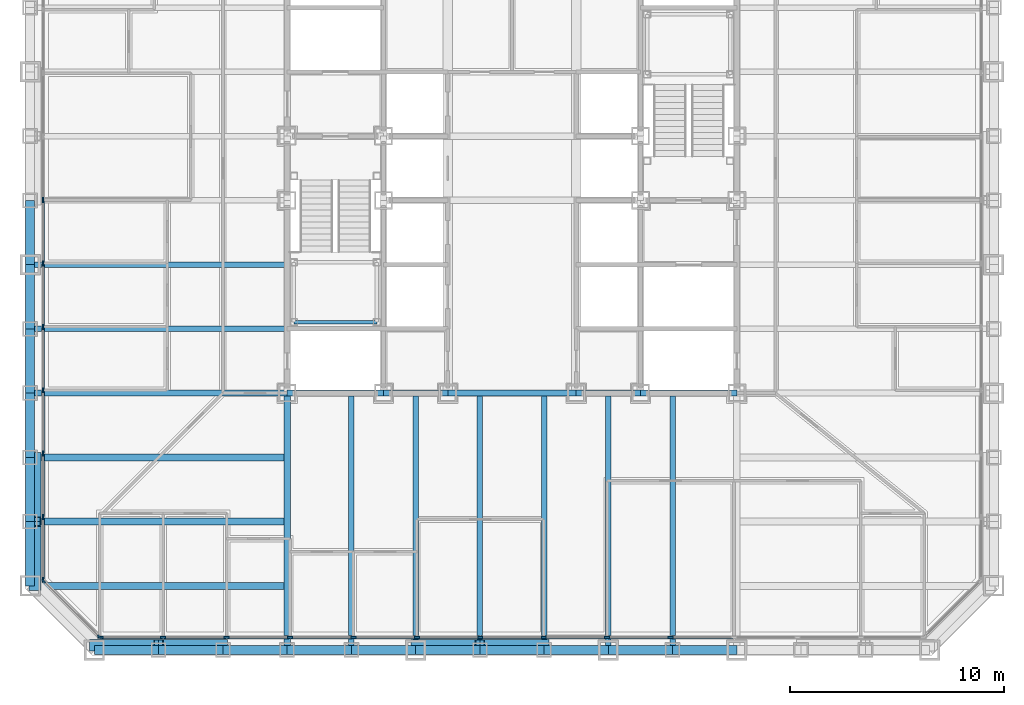
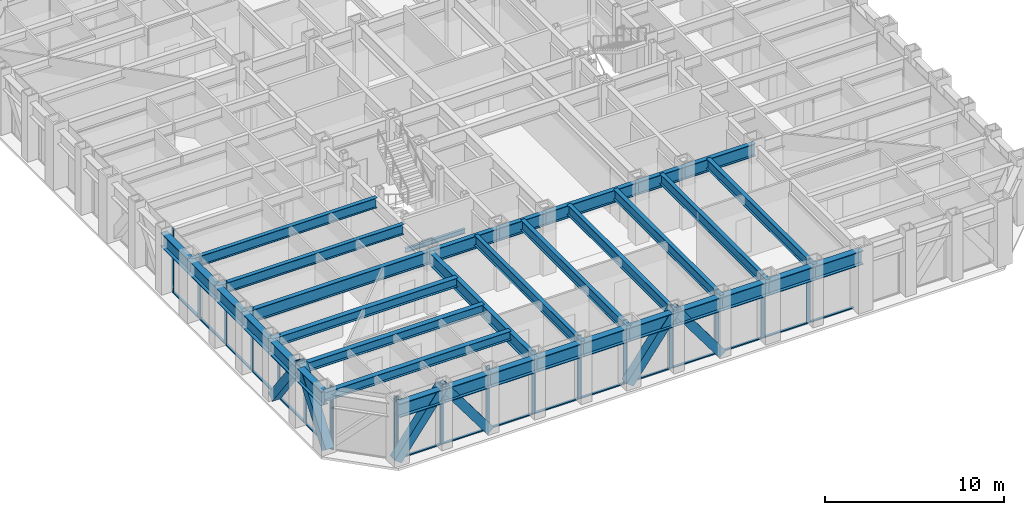
# One storey, part 2 of 17: 41 members, 35 beams, 3 elements without a shape of their own.
"""IFC4 building model written with IfcOpenShell, lengths in metres."""

from ifc_helpers import new_model, si_unit, direction, frame, origin, origin_2d, place, context, subcontext, project, spatial, rectangle, hollow_rectangle, i_section, extrude, material, layer, layer_set, material_profile, profile_set, type_object, element, aggregate, save


model = new_model("IFC4")

# Units and contexts
model_context = context("Model", 3, precision=1e-05, world=origin(), true_north=direction((0.0, 1.0)))
body_context = subcontext(model_context, "Body", "Model", "MODEL_VIEW")
ifc_project = project(units=[si_unit("LENGTHUNIT", "METRE"), si_unit("AREAUNIT", "SQUARE_METRE"), si_unit("VOLUMEUNIT", "CUBIC_METRE"), si_unit("PLANEANGLEUNIT", "RADIAN"), si_unit("MASSUNIT", "GRAM", prefix="KILO")], contexts=[model_context])

# Site, building, storey
site_placement = place(None, origin())
site = spatial("IfcSite", under=ifc_project, at=site_placement, CompositionType="ELEMENT")
building_placement = place(site_placement, origin())
building = spatial("IfcBuilding", under=site, at=building_placement, Name="Chuquiago Exchange Tower", CompositionType="ELEMENT")
storey_placement = place(building_placement, frame((0.0, 0.0, 46.800048828125)))
storey = spatial("IfcBuildingStorey", under=building, at=storey_placement, Name="L09", CompositionType="ELEMENT", Elevation=46.800048828125)

# Beams
ifc_material_1 = material(Name="Steel ASTM A992", Category="steel")
ifc_material_profile_1 = material_profile(ifc_material_1, i_section(OverallWidth=0.2919921875, OverallDepth=0.8583984375, WebThickness=0.01708984375, FlangeThickness=0.031005859375, at=origin_2d()), Name="W33X169")
ifc_profile_set_1 = profile_set([ifc_material_profile_1], Name="Steel ASTM A992")
beam_type_1 = type_object("IfcBeamType", Name="B3 W33X169", PredefinedType="BEAM", material=ifc_profile_set_1)
beam_1_placement = place(storey_placement, frame((12.0, 12.0, 3.610595703125), z_axis=(1.0, 0.0, 0.0), x_axis=(0.0, 1.0, 0.0)))
element("IfcBeam", 1, at=beam_1_placement, inside=storey, type_object=beam_type_1, Name="CB-L10-12_12-16.5_12", PredefinedType="BEAM", context=body_context, shape_type="SweptSolid", body=[
    extrude(i_section(OverallWidth=0.2919921875, OverallDepth=0.8583984375, WebThickness=0.01708984375, FlangeThickness=0.031005859375, at=origin_2d()), origin(), (0.0, 0.0, 1.0), 4.5),
])
beam_2_placement = place(storey_placement, frame((16.5, 12.0, 3.610595703125), z_axis=(1.0, 0.0, 0.0), x_axis=(0.0, 1.0, 0.0)))
element("IfcBeam", 2, at=beam_2_placement, inside=storey, type_object=beam_type_1, Name="CB-L10-16.5_12-19.5_12", PredefinedType="BEAM", context=body_context, shape_type="SweptSolid", body=[
    extrude(i_section(OverallWidth=0.2919921875, OverallDepth=0.8583984375, WebThickness=0.01708984375, FlangeThickness=0.031005859375, at=origin_2d()), origin(), (0.0, 0.0, 1.0), 3.0),
])
beam_3_placement = place(storey_placement, frame((19.5, 12.0, 3.610595703125), z_axis=(1.0, 0.0, 0.0), x_axis=(0.0, 1.0, 0.0)))
element("IfcBeam", 3, at=beam_3_placement, inside=storey, type_object=beam_type_1, Name="CB-L10-19.5_12-25.5_12", PredefinedType="BEAM", context=body_context, shape_type="SweptSolid", body=[
    extrude(i_section(OverallWidth=0.2919921875, OverallDepth=0.8583984375, WebThickness=0.01708984375, FlangeThickness=0.031005859375, at=origin_2d()), origin(), (0.0, 0.0, 1.0), 6.0),
])
beam_4_placement = place(storey_placement, frame((25.5, 12.0, 3.610595703125), z_axis=(1.0, 0.0, 0.0), x_axis=(0.0, 1.0, 0.0)))
element("IfcBeam", 4, at=beam_4_placement, inside=storey, type_object=beam_type_1, Name="CB-L10-25.5_12-28.5_12", PredefinedType="BEAM", context=body_context, shape_type="SweptSolid", body=[
    extrude(i_section(OverallWidth=0.2919921875, OverallDepth=0.8583984375, WebThickness=0.01708984375, FlangeThickness=0.031005859375, at=origin_2d()), origin(), (0.0, 0.0, 1.0), 3.0),
])
beam_5_placement = place(storey_placement, frame((28.5, 12.0, 3.610595703125), z_axis=(1.0, 0.0, 0.0), x_axis=(0.0, 1.0, 0.0)))
element("IfcBeam", 5, at=beam_5_placement, inside=storey, type_object=beam_type_1, Name="CB-L10-28.5_12-33_12", PredefinedType="BEAM", context=body_context, shape_type="SweptSolid", body=[
    extrude(i_section(OverallWidth=0.2919921875, OverallDepth=0.8583984375, WebThickness=0.01708984375, FlangeThickness=0.031005859375, at=origin_2d()), origin(), (0.0, 0.0, 1.0), 4.5),
])
ifc_material_2 = material(Name="Steel ASTM A992", Category="steel")
ifc_material_profile_2 = material_profile(ifc_material_2, i_section(OverallWidth=0.256591796875, OverallDepth=0.693359375, WebThickness=0.014404296875, FlangeThickness=0.023681640625, at=origin_2d()), Name="W27X114")
ifc_profile_set_2 = profile_set([ifc_material_profile_2], Name="Steel ASTM A992")
beam_type_2 = type_object("IfcBeamType", Name="B4 W27X114", PredefinedType="BEAM", material=ifc_profile_set_2)
for number, where, z_axis, x_axis, name in (
    (6, (15.0, 12.0, 3.693359375), (0.0, -1.0, 0.0), (1.0, 0.0, 0.0), "FB-L10-infill-15_12-15_-0-0"),
    (7, (18.0, 12.0, 3.693359375), (0.0, -1.0, 0.0), (1.0, 0.0, 0.0), "FB-L10-infill-18_12-18_-0-0"),
    (8, (21.0, 12.0, 3.693359375), (0.0, -1.0, 0.0), (1.0, 0.0, 0.0), "FB-L10-infill-21_12-21_-0-0"),
    (9, (24.0, 12.0, 3.693359375), (0.0, -1.0, 0.0), (1.0, 0.0, 0.0), "FB-L10-infill-24_12-24_-0-0"),
    (10, (27.0, 12.0, 3.693359375), (0.0, -1.0, 0.0), (1.0, 0.0, 0.0), "FB-L10-infill-27_12-27_-0-0"),
    (11, (30.0, 12.0, 3.693359375), (0.0, -1.0, 0.0), (1.0, 0.0, 0.0), "FB-L10-infill-30_12-30_-0-0"),
    (12, (12.0, 15.0, 3.693359375), (-1.0, 0.0, 0.0), (0.0, -1.0, 0.0), "FB-L10-infill-12_15--0_15-0"),
    (13, (12.0, 18.0, 3.693359375), (-1.0, 0.0, 0.0), (0.0, -1.0, 0.0), "FB-L10-infill-12_18--0_18-0"),
):
    element("IfcBeam", number, at=place(storey_placement, frame(where, z_axis=z_axis, x_axis=x_axis)), inside=storey, type_object=beam_type_2, Name=name, PredefinedType="BEAM", context=body_context, shape_type="SweptSolid", body=[
        extrude(i_section(OverallWidth=0.256591796875, OverallDepth=0.693359375, WebThickness=0.014404296875, FlangeThickness=0.023681640625, at=origin_2d()), origin(), (0.0, 0.0, 1.0), 12.0),
    ])
ifc_material_3 = material(Name="Steel ASTM A992", Category="steel")
ifc_material_profile_3 = material_profile(ifc_material_3, i_section(OverallWidth=0.3251953125, OverallDepth=0.6171875, WebThickness=0.013916015625, FlangeThickness=0.021484375, at=origin_2d()), Name="W24X117")
ifc_profile_set_3 = profile_set([ifc_material_profile_3], Name="Steel ASTM A992")
beam_type_3 = type_object("IfcBeamType", Name="B5 W24X117", PredefinedType="BEAM", material=ifc_profile_set_3)
for number, where, z_axis, x_axis, name in (
    (14, (12.0, 3.0, 3.7314453125), (-1.0, 0.0, 0.0), (0.0, -1.0, 0.0), "FB-L10-corner-12_3--0_3-0"),
    (15, (12.0, 6.0, 3.7314453125), (-1.0, 0.0, 0.0), (0.0, -1.0, 0.0), "FB-L10-corner-12_6--0_6-0"),
    (16, (12.0, 9.0, 3.7314453125), (-1.0, 0.0, 0.0), (0.0, -1.0, 0.0), "FB-L10-corner-12_9--0_9-0"),
):
    element("IfcBeam", number, at=place(storey_placement, frame(where, z_axis=z_axis, x_axis=x_axis)), inside=storey, type_object=beam_type_3, Name=name, PredefinedType="BEAM", context=body_context, shape_type="SweptSolid", body=[
        extrude(i_section(OverallWidth=0.3251953125, OverallDepth=0.6171875, WebThickness=0.013916015625, FlangeThickness=0.021484375, at=origin_2d()), origin(), (0.0, 0.0, 1.0), 12.0),
    ])

# Curtain wall, members
ifc_material_4 = material(Name="Aluminium curtain wall system", Category="aluminium")
ifc_layer_1 = layer(ifc_material_4, 0.25)
ifc_layer_set_1 = layer_set([ifc_layer_1], Name="CW1 trading floor curtain wall")
curtain_wall_type_1 = type_object("IfcCurtainWallType", Name="CW1 trading floor curtain wall", PredefinedType="NOTDEFINED", material=ifc_layer_set_1)
curtain_wall_1_placement = place(storey_placement, origin())
curtain_wall_1 = element("IfcCurtainWall", 17, at=curtain_wall_1_placement, inside=storey, type_object=curtain_wall_type_1, Name="CW1 curtain wall L09", PredefinedType="NOTDEFINED")
ifc_material_5 = material(Name="Aluminium mullion, pale anodised", Category="aluminium")
ifc_material_profile_4 = material_profile(ifc_material_5, rectangle(XDim=0.074951171875, YDim=0.25, at=origin_2d()), Name="AL 75x250")
ifc_profile_set_4 = profile_set([ifc_material_profile_4], Name="Aluminium mullion, pale anodised")
member_type_1 = type_object("IfcMemberType", Name="CW1-M mullion 75x250", PredefinedType="MULLION", material=ifc_profile_set_4)
member_1_placement = place(storey_placement, frame((3.285888671875, 0.60009765625, -0.300048828125), z_axis=(0.0, 0.0, 1.0), x_axis=(0.0, 1.0, 0.0)))
member_1 = element("IfcMember", 18, at=member_1_placement, type_object=member_type_1, Name="CW1 mullion 1", PredefinedType="MULLION", context=body_context, shape_type="SweptSolid", body=[
    extrude(rectangle(XDim=0.074951171875, YDim=0.25, at=origin_2d()), origin(), (0.0, 0.0, 1.0), 4.340087890625),
])
member_2_placement = place(storey_placement, frame((6.210205078125, 0.60009765625, -0.300048828125), z_axis=(0.0, 0.0, 1.0), x_axis=(0.0, 1.0, 0.0)))
member_2 = element("IfcMember", 19, at=member_2_placement, type_object=member_type_1, Name="CW1 mullion 2", PredefinedType="MULLION", context=body_context, shape_type="SweptSolid", body=[
    extrude(rectangle(XDim=0.074951171875, YDim=0.25, at=origin_2d()), origin(), (0.0, 0.0, 1.0), 4.340087890625),
])
member_3_placement = place(storey_placement, frame((9.172119140625, 0.60009765625, -0.300048828125), z_axis=(0.0, 0.0, 1.0), x_axis=(0.0, 1.0, 0.0)))
member_3 = element("IfcMember", 20, at=member_3_placement, type_object=member_type_1, Name="CW1 mullion 3", PredefinedType="MULLION", context=body_context, shape_type="SweptSolid", body=[
    extrude(rectangle(XDim=0.074951171875, YDim=0.25, at=origin_2d()), origin(), (0.0, 0.0, 1.0), 4.340087890625),
])
member_4_placement = place(storey_placement, frame((12.1337890625, 0.60009765625, -0.300048828125), z_axis=(0.0, 0.0, 1.0), x_axis=(0.0, 1.0, 0.0)))
member_4 = element("IfcMember", 21, at=member_4_placement, type_object=member_type_1, Name="CW1 mullion 4", PredefinedType="MULLION", context=body_context, shape_type="SweptSolid", body=[
    extrude(rectangle(XDim=0.074951171875, YDim=0.25, at=origin_2d()), origin(), (0.0, 0.0, 1.0), 4.340087890625),
])
member_5_placement = place(storey_placement, frame((15.095458984375, 0.60009765625, -0.300048828125), z_axis=(0.0, 0.0, 1.0), x_axis=(0.0, 1.0, 0.0)))
member_5 = element("IfcMember", 22, at=member_5_placement, type_object=member_type_1, Name="CW1 mullion 5", PredefinedType="MULLION", context=body_context, shape_type="SweptSolid", body=[
    extrude(rectangle(XDim=0.074951171875, YDim=0.25, at=origin_2d()), origin(), (0.0, 0.0, 1.0), 4.340087890625),
])
member_6_placement = place(storey_placement, frame((18.057373046875, 0.60009765625, -0.300048828125), z_axis=(0.0, 0.0, 1.0), x_axis=(0.0, 1.0, 0.0)))
member_6 = element("IfcMember", 23, at=member_6_placement, type_object=member_type_1, Name="CW1 mullion 6", PredefinedType="MULLION", context=body_context, shape_type="SweptSolid", body=[
    extrude(rectangle(XDim=0.074951171875, YDim=0.25, at=origin_2d()), origin(), (0.0, 0.0, 1.0), 4.340087890625),
])
member_7_placement = place(storey_placement, frame((21.01904296875, 0.60009765625, -0.300048828125), z_axis=(0.0, 0.0, 1.0), x_axis=(0.0, 1.0, 0.0)))
member_7 = element("IfcMember", 24, at=member_7_placement, type_object=member_type_1, Name="CW1 mullion 7", PredefinedType="MULLION", context=body_context, shape_type="SweptSolid", body=[
    extrude(rectangle(XDim=0.074951171875, YDim=0.25, at=origin_2d()), origin(), (0.0, 0.0, 1.0), 4.340087890625),
])
member_8_placement = place(storey_placement, frame((23.98095703125, 0.60009765625, -0.300048828125), z_axis=(0.0, 0.0, 1.0), x_axis=(0.0, 1.0, 0.0)))
member_8 = element("IfcMember", 25, at=member_8_placement, type_object=member_type_1, Name="CW1 mullion 8", PredefinedType="MULLION", context=body_context, shape_type="SweptSolid", body=[
    extrude(rectangle(XDim=0.074951171875, YDim=0.25, at=origin_2d()), origin(), (0.0, 0.0, 1.0), 4.340087890625),
])
member_9_placement = place(storey_placement, frame((26.942626953125, 0.60009765625, -0.300048828125), z_axis=(0.0, 0.0, 1.0), x_axis=(0.0, 1.0, 0.0)))
member_9 = element("IfcMember", 26, at=member_9_placement, type_object=member_type_1, Name="CW1 mullion 9", PredefinedType="MULLION", context=body_context, shape_type="SweptSolid", body=[
    extrude(rectangle(XDim=0.074951171875, YDim=0.25, at=origin_2d()), origin(), (0.0, 0.0, 1.0), 4.340087890625),
])
member_10_placement = place(storey_placement, frame((29.904541015625, 0.60009765625, -0.300048828125), z_axis=(0.0, 0.0, 1.0), x_axis=(0.0, 1.0, 0.0)))
member_10 = element("IfcMember", 27, at=member_10_placement, type_object=member_type_1, Name="CW1 mullion 10", PredefinedType="MULLION", context=body_context, shape_type="SweptSolid", body=[
    extrude(rectangle(XDim=0.074951171875, YDim=0.25, at=origin_2d()), origin(), (0.0, 0.0, 1.0), 4.340087890625),
])

curtain_wall_2_placement = place(storey_placement, origin())
curtain_wall_2 = element("IfcCurtainWall", 28, at=curtain_wall_2_placement, inside=storey, type_object=curtain_wall_type_1, Name="CW1 curtain wall L09", PredefinedType="NOTDEFINED")
member_11_placement = place(storey_placement, frame((0.60009765625, 21.01904296875, -0.300048828125), z_axis=(0.0, 0.0, 1.0), x_axis=(1.0, 0.0, 0.0)))
member_11 = element("IfcMember", 29, at=member_11_placement, type_object=member_type_1, Name="CW1 mullion 8", PredefinedType="MULLION", context=body_context, shape_type="SweptSolid", body=[
    extrude(rectangle(XDim=0.074951171875, YDim=0.25, at=origin_2d()), origin(), (0.0, 0.0, 1.0), 4.340087890625),
])
member_12_placement = place(storey_placement, frame((0.60009765625, 18.057373046875, -0.300048828125), z_axis=(0.0, 0.0, 1.0), x_axis=(1.0, 0.0, 0.0)))
member_12 = element("IfcMember", 30, at=member_12_placement, type_object=member_type_1, Name="CW1 mullion 9", PredefinedType="MULLION", context=body_context, shape_type="SweptSolid", body=[
    extrude(rectangle(XDim=0.074951171875, YDim=0.25, at=origin_2d()), origin(), (0.0, 0.0, 1.0), 4.340087890625),
])
member_13_placement = place(storey_placement, frame((0.60009765625, 15.095458984375, -0.300048828125), z_axis=(0.0, 0.0, 1.0), x_axis=(1.0, 0.0, 0.0)))
member_13 = element("IfcMember", 31, at=member_13_placement, type_object=member_type_1, Name="CW1 mullion 10", PredefinedType="MULLION", context=body_context, shape_type="SweptSolid", body=[
    extrude(rectangle(XDim=0.074951171875, YDim=0.25, at=origin_2d()), origin(), (0.0, 0.0, 1.0), 4.340087890625),
])
member_14_placement = place(storey_placement, frame((0.60009765625, 12.1337890625, -0.300048828125), z_axis=(0.0, 0.0, 1.0), x_axis=(1.0, 0.0, 0.0)))
member_14 = element("IfcMember", 32, at=member_14_placement, type_object=member_type_1, Name="CW1 mullion 11", PredefinedType="MULLION", context=body_context, shape_type="SweptSolid", body=[
    extrude(rectangle(XDim=0.074951171875, YDim=0.25, at=origin_2d()), origin(), (0.0, 0.0, 1.0), 4.340087890625),
])
member_15_placement = place(storey_placement, frame((0.60009765625, 9.172119140625, -0.300048828125), z_axis=(0.0, 0.0, 1.0), x_axis=(1.0, 0.0, 0.0)))
member_15 = element("IfcMember", 33, at=member_15_placement, type_object=member_type_1, Name="CW1 mullion 12", PredefinedType="MULLION", context=body_context, shape_type="SweptSolid", body=[
    extrude(rectangle(XDim=0.074951171875, YDim=0.25, at=origin_2d()), origin(), (0.0, 0.0, 1.0), 4.340087890625),
])
member_16_placement = place(storey_placement, frame((0.60009765625, 6.210205078125, -0.300048828125), z_axis=(0.0, 0.0, 1.0), x_axis=(1.0, 0.0, 0.0)))
member_16 = element("IfcMember", 34, at=member_16_placement, type_object=member_type_1, Name="CW1 mullion 13", PredefinedType="MULLION", context=body_context, shape_type="SweptSolid", body=[
    extrude(rectangle(XDim=0.074951171875, YDim=0.25, at=origin_2d()), origin(), (0.0, 0.0, 1.0), 4.340087890625),
])
member_17_placement = place(storey_placement, frame((0.60009765625, 3.285888671875, -0.300048828125), z_axis=(0.0, 0.0, 1.0), x_axis=(1.0, 0.0, 0.0)))
member_17 = element("IfcMember", 35, at=member_17_placement, type_object=member_type_1, Name="CW1 mullion 14", PredefinedType="MULLION", context=body_context, shape_type="SweptSolid", body=[
    extrude(rectangle(XDim=0.074951171875, YDim=0.25, at=origin_2d()), origin(), (0.0, 0.0, 1.0), 4.340087890625),
])

# Member
ifc_material_6 = material(Name="Aluminium transom, pale anodised", Category="aluminium")
ifc_material_profile_5 = material_profile(ifc_material_6, rectangle(XDim=0.14990234375, YDim=0.074951171875, at=origin_2d()), Name="AL 150x75")
ifc_profile_set_5 = profile_set([ifc_material_profile_5], Name="Aluminium transom, pale anodised")
member_type_2 = type_object("IfcMemberType", Name="CW1-T transom 75x150", PredefinedType="MULLION", material=ifc_profile_set_5)
member_18_placement = place(storey_placement, frame((3.323486328125, 0.60009765625, -0.262451171875), z_axis=(1.0, 0.0, 0.0), x_axis=(0.0, 1.0, 0.0)))
member_18 = element("IfcMember", 36, at=member_18_placement, type_object=member_type_2, Name="CW1 transom 1.1", PredefinedType="MULLION", context=body_context, shape_type="SweptSolid", body=[
    extrude(rectangle(XDim=0.14990234375, YDim=0.074951171875, at=origin_2d()), origin(), (0.0, 0.0, 1.0), 2.849365234375),
])

member_19_placement = place(storey_placement, frame((6.247802734375, 0.60009765625, -0.262451171875), z_axis=(1.0, 0.0, 0.0), x_axis=(0.0, 1.0, 0.0)))
member_19 = element("IfcMember", 37, at=member_19_placement, type_object=member_type_2, Name="CW1 transom 2.1", PredefinedType="MULLION", context=body_context, shape_type="SweptSolid", body=[
    extrude(rectangle(XDim=0.14990234375, YDim=0.074951171875, at=origin_2d()), origin(), (0.0, 0.0, 1.0), 2.88671875),
])

member_20_placement = place(storey_placement, frame((9.20947265625, 0.60009765625, -0.262451171875), z_axis=(1.0, 0.0, 0.0), x_axis=(0.0, 1.0, 0.0)))
member_20 = element("IfcMember", 38, at=member_20_placement, type_object=member_type_2, Name="CW1 transom 3.1", PredefinedType="MULLION", context=body_context, shape_type="SweptSolid", body=[
    extrude(rectangle(XDim=0.14990234375, YDim=0.074951171875, at=origin_2d()), origin(), (0.0, 0.0, 1.0), 2.88671875),
])

member_21_placement = place(storey_placement, frame((12.17138671875, 0.60009765625, -0.262451171875), z_axis=(1.0, 0.0, 0.0), x_axis=(0.0, 1.0, 0.0)))
member_21 = element("IfcMember", 39, at=member_21_placement, type_object=member_type_2, Name="CW1 transom 4.1", PredefinedType="MULLION", context=body_context, shape_type="SweptSolid", body=[
    extrude(rectangle(XDim=0.14990234375, YDim=0.074951171875, at=origin_2d()), origin(), (0.0, 0.0, 1.0), 2.88671875),
])

member_22_placement = place(storey_placement, frame((15.133056640625, 0.60009765625, -0.262451171875), z_axis=(1.0, 0.0, 0.0), x_axis=(0.0, 1.0, 0.0)))
member_22 = element("IfcMember", 40, at=member_22_placement, type_object=member_type_2, Name="CW1 transom 5.1", PredefinedType="MULLION", context=body_context, shape_type="SweptSolid", body=[
    extrude(rectangle(XDim=0.14990234375, YDim=0.074951171875, at=origin_2d()), origin(), (0.0, 0.0, 1.0), 2.88671875),
])

member_23_placement = place(storey_placement, frame((18.0947265625, 0.60009765625, -0.262451171875), z_axis=(1.0, 0.0, 0.0), x_axis=(0.0, 1.0, 0.0)))
member_23 = element("IfcMember", 41, at=member_23_placement, type_object=member_type_2, Name="CW1 transom 6.1", PredefinedType="MULLION", context=body_context, shape_type="SweptSolid", body=[
    extrude(rectangle(XDim=0.14990234375, YDim=0.074951171875, at=origin_2d()), origin(), (0.0, 0.0, 1.0), 2.886962890625),
])

member_24_placement = place(storey_placement, frame((21.056640625, 0.60009765625, -0.262451171875), z_axis=(1.0, 0.0, 0.0), x_axis=(0.0, 1.0, 0.0)))
member_24 = element("IfcMember", 42, at=member_24_placement, type_object=member_type_2, Name="CW1 transom 7.1", PredefinedType="MULLION", context=body_context, shape_type="SweptSolid", body=[
    extrude(rectangle(XDim=0.14990234375, YDim=0.074951171875, at=origin_2d()), origin(), (0.0, 0.0, 1.0), 2.88671875),
])

member_25_placement = place(storey_placement, frame((24.018310546875, 0.60009765625, -0.262451171875), z_axis=(1.0, 0.0, 0.0), x_axis=(0.0, 1.0, 0.0)))
member_25 = element("IfcMember", 43, at=member_25_placement, type_object=member_type_2, Name="CW1 transom 8.1", PredefinedType="MULLION", context=body_context, shape_type="SweptSolid", body=[
    extrude(rectangle(XDim=0.14990234375, YDim=0.074951171875, at=origin_2d()), origin(), (0.0, 0.0, 1.0), 2.886962890625),
])

member_26_placement = place(storey_placement, frame((26.980224609375, 0.60009765625, -0.262451171875), z_axis=(1.0, 0.0, 0.0), x_axis=(0.0, 1.0, 0.0)))
member_26 = element("IfcMember", 44, at=member_26_placement, type_object=member_type_2, Name="CW1 transom 9.1", PredefinedType="MULLION", context=body_context, shape_type="SweptSolid", body=[
    extrude(rectangle(XDim=0.14990234375, YDim=0.074951171875, at=origin_2d()), origin(), (0.0, 0.0, 1.0), 2.88671875),
])

member_27_placement = place(storey_placement, frame((29.94189453125, 0.60009765625, -0.262451171875), z_axis=(1.0, 0.0, 0.0), x_axis=(0.0, 1.0, 0.0)))
member_27 = element("IfcMember", 45, at=member_27_placement, type_object=member_type_2, Name="CW1 transom 10.1", PredefinedType="MULLION", context=body_context, shape_type="SweptSolid", body=[
    extrude(rectangle(XDim=0.14990234375, YDim=0.074951171875, at=origin_2d()), origin(), (0.0, 0.0, 1.0), 2.88671875),
])

aggregate(curtain_wall_1, [member_1, member_2, member_3, member_4, member_5, member_6, member_7, member_8, member_9, member_10, member_18, member_19, member_20, member_21, member_22, member_23, member_24, member_25, member_26, member_27])

member_28_placement = place(storey_placement, frame((0.60009765625, 20.981689453125, -0.262451171875), z_axis=(0.0, -1.0, 0.0), x_axis=(1.0, 0.0, 0.0)))
member_28 = element("IfcMember", 46, at=member_28_placement, type_object=member_type_2, Name="CW1 transom 8.1", PredefinedType="MULLION", context=body_context, shape_type="SweptSolid", body=[
    extrude(rectangle(XDim=0.14990234375, YDim=0.074951171875, at=origin_2d()), origin(), (0.0, 0.0, 1.0), 2.886962890625),
])

member_29_placement = place(storey_placement, frame((0.60009765625, 18.019775390625, -0.262451171875), z_axis=(0.0, -1.0, 0.0), x_axis=(1.0, 0.0, 0.0)))
member_29 = element("IfcMember", 47, at=member_29_placement, type_object=member_type_2, Name="CW1 transom 9.1", PredefinedType="MULLION", context=body_context, shape_type="SweptSolid", body=[
    extrude(rectangle(XDim=0.14990234375, YDim=0.074951171875, at=origin_2d()), origin(), (0.0, 0.0, 1.0), 2.88671875),
])

member_30_placement = place(storey_placement, frame((0.60009765625, 15.05810546875, -0.262451171875), z_axis=(0.0, -1.0, 0.0), x_axis=(1.0, 0.0, 0.0)))
member_30 = element("IfcMember", 48, at=member_30_placement, type_object=member_type_2, Name="CW1 transom 10.1", PredefinedType="MULLION", context=body_context, shape_type="SweptSolid", body=[
    extrude(rectangle(XDim=0.14990234375, YDim=0.074951171875, at=origin_2d()), origin(), (0.0, 0.0, 1.0), 2.88671875),
])

member_31_placement = place(storey_placement, frame((0.60009765625, 12.09619140625, -0.262451171875), z_axis=(0.0, -1.0, 0.0), x_axis=(1.0, 0.0, 0.0)))
member_31 = element("IfcMember", 49, at=member_31_placement, type_object=member_type_2, Name="CW1 transom 11.1", PredefinedType="MULLION", context=body_context, shape_type="SweptSolid", body=[
    extrude(rectangle(XDim=0.14990234375, YDim=0.074951171875, at=origin_2d()), origin(), (0.0, 0.0, 1.0), 2.88671875),
])

member_32_placement = place(storey_placement, frame((0.60009765625, 9.134521484375, -0.262451171875), z_axis=(0.0, -1.0, 0.0), x_axis=(1.0, 0.0, 0.0)))
member_32 = element("IfcMember", 50, at=member_32_placement, type_object=member_type_2, Name="CW1 transom 12.1", PredefinedType="MULLION", context=body_context, shape_type="SweptSolid", body=[
    extrude(rectangle(XDim=0.14990234375, YDim=0.074951171875, at=origin_2d()), origin(), (0.0, 0.0, 1.0), 2.88671875),
])

member_33_placement = place(storey_placement, frame((0.60009765625, 6.1728515625, -0.262451171875), z_axis=(0.0, -1.0, 0.0), x_axis=(1.0, 0.0, 0.0)))
member_33 = element("IfcMember", 51, at=member_33_placement, type_object=member_type_2, Name="CW1 transom 13.1", PredefinedType="MULLION", context=body_context, shape_type="SweptSolid", body=[
    extrude(rectangle(XDim=0.14990234375, YDim=0.074951171875, at=origin_2d()), origin(), (0.0, 0.0, 1.0), 2.849365234375),
])

aggregate(curtain_wall_2, [member_11, member_12, member_13, member_14, member_15, member_16, member_17, member_28, member_29, member_30, member_31, member_32, member_33])

# Curtain wall, members
ifc_material_7 = material(Name="Aluminium curtain wall system", Category="aluminium")
ifc_layer_2 = layer(ifc_material_7, 0.199951171875)
ifc_layer_set_2 = layer_set([ifc_layer_2], Name="CW3 facet curtain wall")
curtain_wall_type_2 = type_object("IfcCurtainWallType", Name="CW3 facet curtain wall", PredefinedType="NOTDEFINED", material=ifc_layer_set_2)
curtain_wall_3_placement = place(storey_placement, origin())
curtain_wall_3 = element("IfcCurtainWall", 52, at=curtain_wall_3_placement, inside=storey, type_object=curtain_wall_type_2, Name="CW3 curtain wall L09", PredefinedType="NOTDEFINED")
ifc_material_8 = material(Name="Aluminium mullion, pale anodised", Category="aluminium")
ifc_material_profile_6 = material_profile(ifc_material_8, rectangle(XDim=0.06494140625, YDim=0.199951171875, at=origin_2d()), Name="AL 65x200")
ifc_profile_set_6 = profile_set([ifc_material_profile_6], Name="Aluminium mullion, pale anodised")
member_type_3 = type_object("IfcMemberType", Name="CW3-M mullion 65x200", PredefinedType="MULLION", material=ifc_profile_set_6)
member_34_placement = place(storey_placement, frame((0.623046875, 3.2255859375, -0.300048828125), z_axis=(0.0, 0.0, 1.0), x_axis=(0.707106781187, 0.707106781187, 0.0)))
member_34 = element("IfcMember", 53, at=member_34_placement, type_object=member_type_3, Name="CW3 mullion 1", PredefinedType="MULLION", context=body_context, shape_type="SweptSolid", body=[
    extrude(rectangle(XDim=0.06494140625, YDim=0.199951171875, at=origin_2d()), origin(), (0.0, 0.0, 1.0), 4.340087890625),
])
member_35_placement = place(storey_placement, frame((3.2255859375, 0.623046875, -0.300048828125), z_axis=(0.0, 0.0, 1.0), x_axis=(0.707106781187, 0.707106781187, 0.0)))
member_35 = element("IfcMember", 54, at=member_35_placement, type_object=member_type_3, Name="CW3 mullion 2", PredefinedType="MULLION", context=body_context, shape_type="SweptSolid", body=[
    extrude(rectangle(XDim=0.06494140625, YDim=0.199951171875, at=origin_2d()), origin(), (0.0, 0.0, 1.0), 4.340087890625),
])
aggregate(curtain_wall_3, [member_34, member_35])

# Beams
ifc_material_9 = material(Name="Steel ASTM A992", Category="steel")
ifc_material_profile_7 = material_profile(ifc_material_9, i_section(OverallWidth=0.2919921875, OverallDepth=0.8583984375, WebThickness=0.01708984375, FlangeThickness=0.031005859375, at=origin_2d()), Name="W33X169")
ifc_profile_set_7 = profile_set([ifc_material_profile_7], Name="Steel ASTM A992")
beam_type_4 = type_object("IfcBeamType", Name="G2 W33X169", PredefinedType="BEAM", material=ifc_profile_set_7)
for number, where, z_axis, x_axis, name in (
    (55, (12.0, 12.0, 3.610595703125), (0.0, -1.0, 0.0), (1.0, 0.0, 0.0), "FB-L10-girder-12_12-12_-0-0"),
    (56, (12.0, 12.0, 3.610595703125), (-1.0, 0.0, 0.0), (0.0, -1.0, 0.0), "FB-L10-girder-12_12--0_12-0"),
):
    element("IfcBeam", number, at=place(storey_placement, frame(where, z_axis=z_axis, x_axis=x_axis)), inside=storey, type_object=beam_type_4, Name=name, PredefinedType="BEAM", context=body_context, shape_type="SweptSolid", body=[
        extrude(i_section(OverallWidth=0.2919921875, OverallDepth=0.8583984375, WebThickness=0.01708984375, FlangeThickness=0.031005859375, at=origin_2d()), origin(), (0.0, 0.0, 1.0), 12.0),
    ])
ifc_material_10 = material(Name="Steel ASTM A992", Category="steel")
ifc_material_profile_8 = material_profile(ifc_material_10, i_section(OverallWidth=0.164794921875, OverallDepth=0.309814453125, WebThickness=0.005859375, FlangeThickness=0.009765625, at=origin_2d()), Name="W12X26")
ifc_profile_set_8 = profile_set([ifc_material_profile_8], Name="Steel ASTM A992")
beam_type_5 = type_object("IfcBeamType", Name="LT1 W12X26", PredefinedType="BEAM", material=ifc_profile_set_8)
beam_6_placement = place(storey_placement, frame((12.31005859375, 15.31005859375, 1.89501953125), z_axis=(1.0, 0.0, 0.0), x_axis=(0.0, 1.0, 0.0)))
element("IfcBeam", 57, at=beam_6_placement, inside=storey, type_object=beam_type_5, Name="Stair ST1 L09 landing 1 trimmer", PredefinedType="BEAM", context=body_context, shape_type="SweptSolid", body=[
    extrude(i_section(OverallWidth=0.164794921875, OverallDepth=0.309814453125, WebThickness=0.005859375, FlangeThickness=0.009765625, at=origin_2d()), origin(), (0.0, 0.0, 1.0), 3.8798828125),
])

# Members
ifc_material_11 = material(Name="Steel ASTM A572 Grade 50", Category="steel")
ifc_material_profile_9 = material_profile(ifc_material_11, hollow_rectangle(XDim=0.550048828125, YDim=0.550048828125, WallThickness=0.044921875, at=origin_2d()), Name="BOX550X550X45")
ifc_profile_set_9 = profile_set([ifc_material_profile_9], Name="Steel ASTM A572 Grade 50")
member_type_4 = type_object("IfcMemberType", Name="MB1 BOX550X550X45", PredefinedType="BRACE", material=ifc_profile_set_9)
for number, where, z_axis, x_axis, name in (
    (58, (3.0, 0.22998046875, 0.0), (0.596173923302, 0.0, 0.802855312728), (0.0, 1.0, 0.0), "Mega diagonal L09 S face"),
    (59, (9.0, 0.22998046875, 0.0), (-0.596173923302, 0.0, 0.802855312728), (0.0, -1.0, 0.0), "Mega diagonal L09 S face"),
    (60, (18.0, 0.22998046875, 0.0), (0.596173923302, 0.0, 0.802855312728), (0.0, 1.0, 0.0), "Mega diagonal L09 S face"),
    (61, (24.0, 0.22998046875, 0.0), (-0.596173923302, 0.0, 0.802855312728), (0.0, -1.0, 0.0), "Mega diagonal L09 S face"),
    (62, (0.22998046875, 9.0, 0.0), (0.0, -0.596173923302, 0.802855312728), (1.0, 0.0, 0.0), "Mega diagonal L09 W face"),
    (63, (0.22998046875, 3.0, 0.0), (0.0, 0.596173923302, 0.802855312728), (-1.0, 0.0, 0.0), "Mega diagonal L09 W face"),
):
    element("IfcMember", number, at=place(storey_placement, frame(where, z_axis=z_axis, x_axis=x_axis)), inside=storey, type_object=member_type_4, Name=name, PredefinedType="BRACE", context=body_context, shape_type="SweptSolid", body=[
        extrude(hollow_rectangle(XDim=0.550048828125, YDim=0.550048828125, WallThickness=0.044921875, at=origin_2d()), origin(), (0.0, 0.0, 1.0), 5.031982421875),
    ])

# Beams
ifc_material_12 = material(Name="Steel ASTM A992", Category="steel")
ifc_material_profile_10 = material_profile(ifc_material_12, i_section(OverallWidth=0.424072265625, OverallDepth=0.947509765625, WebThickness=0.02392578125, FlangeThickness=0.042724609375, at=origin_2d()), Name="W36X302")
ifc_profile_set_10 = profile_set([ifc_material_profile_10], Name="Steel ASTM A992")
beam_type_6 = type_object("IfcBeamType", Name="SP1 W36X302", PredefinedType="SPANDREL", material=ifc_profile_set_10)
for number, where, z_axis, x_axis, name in (
    (64, (3.0, 0.0, 3.566162109375), (1.0, 0.0, 0.0), (0.0, 1.0, 0.0), "SPB-L10-3_0-6_0"),
    (65, (6.0, 0.0, 3.566162109375), (1.0, 0.0, 0.0), (0.0, 1.0, 0.0), "SPB-L10-6_0-9_0"),
    (66, (9.0, 0.0, 3.566162109375), (1.0, 0.0, 0.0), (0.0, 1.0, 0.0), "SPB-L10-9_0-12_0"),
    (67, (12.0, 0.0, 3.566162109375), (1.0, 0.0, 0.0), (0.0, 1.0, 0.0), "SPB-L10-12_0-15_0"),
    (68, (15.0, 0.0, 3.566162109375), (1.0, 0.0, 0.0), (0.0, 1.0, 0.0), "SPB-L10-15_0-18_0"),
    (69, (18.0, 0.0, 3.566162109375), (1.0, 0.0, 0.0), (0.0, 1.0, 0.0), "SPB-L10-18_0-21_0"),
    (70, (21.0, 0.0, 3.566162109375), (1.0, 0.0, 0.0), (0.0, 1.0, 0.0), "SPB-L10-21_0-24_0"),
    (71, (24.0, 0.0, 3.566162109375), (1.0, 0.0, 0.0), (0.0, 1.0, 0.0), "SPB-L10-24_0-27_0"),
    (72, (27.0, 0.0, 3.566162109375), (1.0, 0.0, 0.0), (0.0, 1.0, 0.0), "SPB-L10-27_0-30_0"),
    (73, (30.0, 0.0, 3.566162109375), (1.0, 0.0, 0.0), (0.0, 1.0, 0.0), "SPB-L10-30_0-33_0"),
    (74, (0.0, 21.0, 3.566162109375), (0.0, -1.0, 0.0), (1.0, 0.0, 0.0), "SPB-L10-0_21-0_18"),
    (75, (0.0, 18.0, 3.566162109375), (0.0, -1.0, 0.0), (1.0, 0.0, 0.0), "SPB-L10-0_18-0_15"),
    (76, (0.0, 15.0, 3.566162109375), (0.0, -1.0, 0.0), (1.0, 0.0, 0.0), "SPB-L10-0_15-0_12"),
    (77, (0.0, 12.0, 3.566162109375), (0.0, -1.0, 0.0), (1.0, 0.0, 0.0), "SPB-L10-0_12-0_9"),
    (78, (0.0, 9.0, 3.566162109375), (0.0, -1.0, 0.0), (1.0, 0.0, 0.0), "SPB-L10-0_9-0_6"),
    (79, (0.0, 6.0, 3.566162109375), (0.0, -1.0, 0.0), (1.0, 0.0, 0.0), "SPB-L10-0_6-0_3"),
):
    element("IfcBeam", number, at=place(storey_placement, frame(where, z_axis=z_axis, x_axis=x_axis)), inside=storey, type_object=beam_type_6, Name=name, PredefinedType="SPANDREL", context=body_context, shape_type="SweptSolid", body=[
        extrude(i_section(OverallWidth=0.424072265625, OverallDepth=0.947509765625, WebThickness=0.02392578125, FlangeThickness=0.042724609375, at=origin_2d()), origin(), (0.0, 0.0, 1.0), 3.0),
    ])

save(model, "model.ifc")
